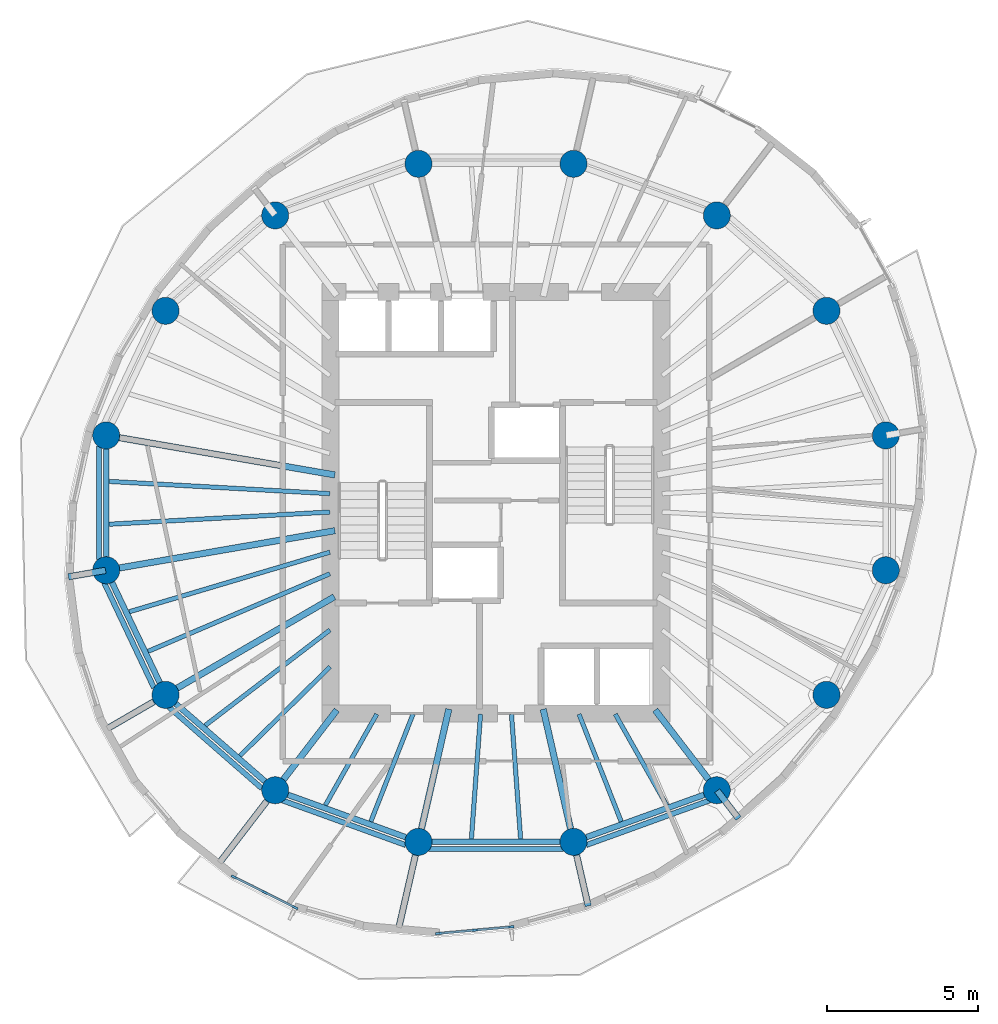
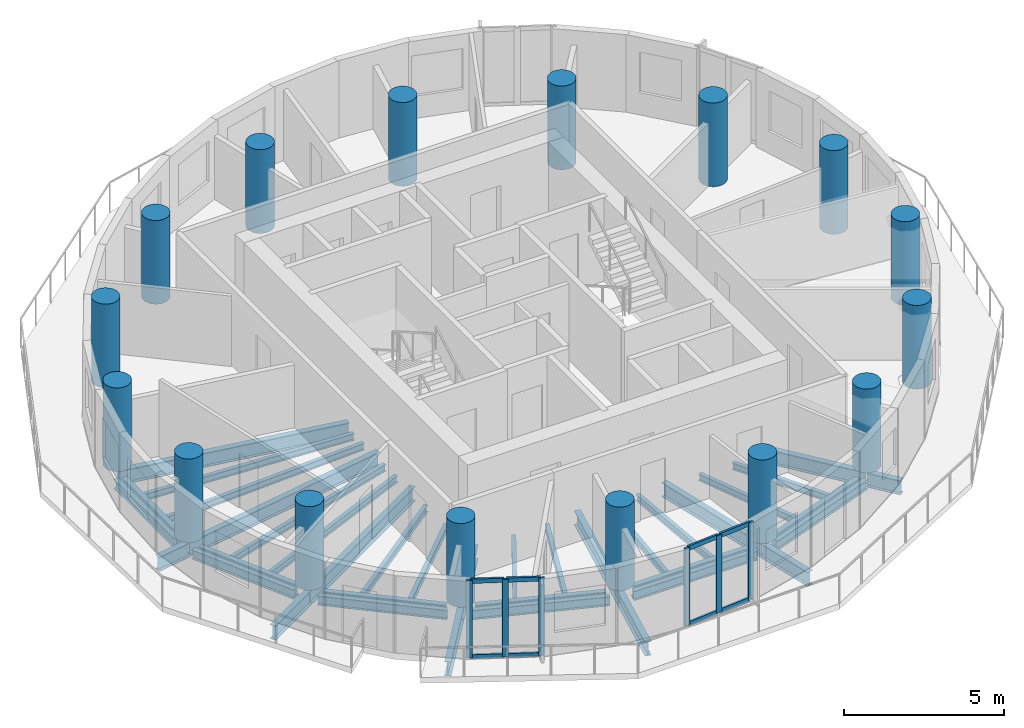
# One storey, part 1 of 10: 37 beams, 16 columns, 14 members, 2 elements without a shape of their own.
"""IFC4 building model written with IfcOpenShell, lengths in metres."""

from ifc_helpers import new_model, si_unit, direction, frame, origin, origin_2d, place, context, subcontext, project, spatial, rectangle, circle, i_section, extrude, material, material_profile, profile_set, type_object, element, aggregate, save


model = new_model("IFC4")

# Units and contexts
model_context = context("Model", 3, precision=1e-05, world=origin(), true_north=direction((0.0, 1.0)))
body_context = subcontext(model_context, "Body", "Model", "MODEL_VIEW")
ifc_project = project(units=[si_unit("LENGTHUNIT", "METRE"), si_unit("AREAUNIT", "SQUARE_METRE"), si_unit("VOLUMEUNIT", "CUBIC_METRE"), si_unit("PLANEANGLEUNIT", "RADIAN"), si_unit("MASSUNIT", "GRAM", prefix="KILO")], contexts=[model_context])

# Site, building, storey
site_placement = place(None, origin())
site = spatial("IfcSite", under=ifc_project, at=site_placement, CompositionType="ELEMENT")
building_placement = place(site_placement, origin())
building = spatial("IfcBuilding", under=site, at=building_placement, Name="Veldorim Arch Residences", CompositionType="ELEMENT")
storey_placement = place(building_placement, frame((0.0, 0.0, 191.840087890625)))
storey = spatial("IfcBuildingStorey", under=building, at=storey_placement, Name="L57", CompositionType="ELEMENT", Elevation=191.840087890625)

# Columns
ifc_material_1 = material(Name="Concrete C50/60", Category="concrete")
ifc_material_profile_1 = material_profile(ifc_material_1, circle(Radius=0.449951171875, at=origin_2d()), Name="RC_CIRC_900")
ifc_profile_set_1 = profile_set([ifc_material_profile_1], Name="Concrete C50/60")
column_type = type_object("IfcColumnType", Name="Structural Column RC_CIRC_900", PredefinedType="COLUMN", material=ifc_profile_set_1)
for number, where, z_axis, x_axis, name in (
    (1, (44.9462890625, 26.239501953125, 0.0), (0.0, 0.0, 1.0), (1.0, 0.0, 0.0), "L57 TC-Z4-01 perimeter column"),
    (2, (42.975341796875, 30.3779296875, 0.0), (0.0, 0.0, 1.0), (1.0, 0.0, 0.0), "L57 TC-Z4-02 perimeter column"),
    (3, (39.33349609375, 33.54541015625, 0.0), (0.0, 0.0, 1.0), (1.0, 0.0, 0.0), "L57 TC-Z4-03 perimeter column"),
    (4, (34.5751953125, 35.259521484375, 0.0), (0.0, 0.0, 1.0), (1.0, 0.0, 0.0), "L57 TC-Z4-04 perimeter column"),
    (5, (29.4248046875, 35.259521484375, 0.0), (0.0, 0.0, 1.0), (1.0, 0.0, 0.0), "L57 TC-Z4-05 perimeter column"),
    (6, (24.66650390625, 33.54541015625, 0.0), (0.0, 0.0, 1.0), (1.0, 0.0, 0.0), "L57 TC-Z4-06 perimeter column"),
    (7, (21.024658203125, 30.3779296875, 0.0), (0.0, 0.0, 1.0), (1.0, 0.0, 0.0), "L57 TC-Z4-07 perimeter column"),
    (8, (19.0537109375, 26.239501953125, 0.0), (0.0, 0.0, 1.0), (1.0, 0.0, 0.0), "L57 TC-Z4-08 perimeter column"),
    (9, (19.0537109375, 21.760498046875, 0.0), (0.0, 0.0, 1.0), (1.0, 0.0, 0.0), "L57 TC-Z4-09 perimeter column"),
    (10, (21.024658203125, 17.6220703125, 0.0), (0.0, 0.0, 1.0), (1.0, 0.0, 0.0), "L57 TC-Z4-10 perimeter column"),
    (11, (24.66650390625, 14.45458984375, 0.0), (0.0, 0.0, 1.0), (1.0, 0.0, 0.0), "L57 TC-Z4-11 perimeter column"),
    (12, (29.4248046875, 12.740478515625, 0.0), (0.0, 0.0, 1.0), (1.0, 0.0, 0.0), "L57 TC-Z4-12 perimeter column"),
    (13, (34.5751953125, 12.740478515625, 0.0), (0.0, 0.0, 1.0), (1.0, 0.0, 0.0), "L57 TC-Z4-13 perimeter column"),
    (14, (39.33349609375, 14.45458984375, 0.0), (0.0, 0.0, 1.0), (1.0, 0.0, 0.0), "L57 TC-Z4-14 perimeter column"),
    (15, (42.975341796875, 17.6220703125, 0.0), (0.0, 0.0, 1.0), (1.0, 0.0, 0.0), "L57 TC-Z4-15 perimeter column"),
    (16, (44.9462890625, 21.760498046875, 0.0), (0.0, 0.0, 1.0), (1.0, 0.0, 0.0), "L57 TC-Z4-16 perimeter column"),
):
    element("IfcColumn", number, at=place(storey_placement, frame(where, z_axis=z_axis, x_axis=x_axis)), inside=storey, type_object=column_type, Name=name, PredefinedType="COLUMN", context=body_context, shape_type="SweptSolid", body=[
        extrude(circle(Radius=0.449951171875, at=origin_2d()), origin(), (0.0, 0.0, 1.0), 3.199951171875),
    ])

# Beams
ifc_material_2 = material(Name="Steel S355", Category="steel")
ifc_material_profile_2 = material_profile(ifc_material_2, i_section(OverallWidth=0.2119140625, OverallDepth=0.54443359375, WebThickness=0.0126953125, FlangeThickness=0.021240234375, at=origin_2d()), Name="UB533x210x122")
ifc_profile_set_2 = profile_set([ifc_material_profile_2], Name="Steel S355")
beam_type_1 = type_object("IfcBeamType", Name="Structural Steel Beam UB533x210x122", PredefinedType="BEAM", material=ifc_profile_set_2)
for number, where, z_axis, x_axis, name in (
    (17, (26.647705078125, 24.92578125, -0.512451171875), (-0.985364974081, 0.170457818401, 0.0), (-0.170457818401, -0.985364974081, 0.0), "L57 radial floor girder 08"),
    (18, (26.647705078125, 23.07421875, -0.512451171875), (-0.985364974081, -0.170457818401, 0.0), (0.170457818401, -0.985364974081, 0.0), "L57 radial floor girder 09"),
):
    element("IfcBeam", number, at=place(storey_placement, frame(where, z_axis=z_axis, x_axis=x_axis)), inside=storey, type_object=beam_type_1, Name=name, PredefinedType="BEAM", context=body_context, shape_type="SweptSolid", body=[
        extrude(i_section(OverallWidth=0.2119140625, OverallDepth=0.54443359375, WebThickness=0.0126953125, FlangeThickness=0.021240234375, at=origin_2d()), origin(), (0.0, 0.0, 1.0), 7.68701171875),
    ])
beam_1_placement = place(storey_placement, frame((19.033935546875, 21.757080078125, -0.512451171875), z_axis=(-0.985353024945, -0.170526878328, 0.0), x_axis=(0.170526878328, -0.985353024945, 0.0)))
element("IfcBeam", 19, at=beam_1_placement, inside=storey, type_object=beam_type_1, Name="L57 radial edge cantilever girder 09", PredefinedType="BEAM", context=body_context, shape_type="SweptSolid", body=[
    extrude(i_section(OverallWidth=0.2119140625, OverallDepth=0.54443359375, WebThickness=0.0126953125, FlangeThickness=0.021240234375, at=origin_2d()), origin(), (0.0, 0.0, 1.0), 1.252685546875),
])
beam_2_placement = place(storey_placement, frame((26.629638671875, 20.87939453125, -0.512451171875), z_axis=(-0.864595736304, -0.502468121142, 0.0), x_axis=(0.502468121142, -0.864595736304, 0.0)))
element("IfcBeam", 20, at=beam_2_placement, inside=storey, type_object=beam_type_1, Name="L57 radial floor girder 10", PredefinedType="BEAM", context=body_context, shape_type="SweptSolid", body=[
    extrude(i_section(OverallWidth=0.2119140625, OverallDepth=0.54443359375, WebThickness=0.0126953125, FlangeThickness=0.021240234375, at=origin_2d()), origin(), (0.0, 0.0, 1.0), 6.462646484375),
])
beam_3_placement = place(storey_placement, frame((21.00732421875, 17.612060546875, -0.512451171875), z_axis=(-0.864602055373, -0.502457247779, 0.0), x_axis=(0.502457247779, -0.864602055373, 0.0)))
element("IfcBeam", 21, at=beam_3_placement, inside=storey, type_object=beam_type_1, Name="L57 radial edge cantilever girder 10", PredefinedType="BEAM", context=body_context, shape_type="SweptSolid", body=[
    extrude(i_section(OverallWidth=0.2119140625, OverallDepth=0.54443359375, WebThickness=0.0126953125, FlangeThickness=0.021240234375, at=origin_2d()), origin(), (0.0, 0.0, 1.0), 2.2880859375),
])
beam_4_placement = place(storey_placement, frame((26.71337890625, 17.118896484375, -0.512451171875), z_axis=(-0.609258442308, -0.792971721108, 0.0), x_axis=(0.792971721108, -0.609258442308, 0.0)))
element("IfcBeam", 22, at=beam_4_placement, inside=storey, type_object=beam_type_1, Name="L57 radial floor girder 11", PredefinedType="BEAM", context=body_context, shape_type="SweptSolid", body=[
    extrude(i_section(OverallWidth=0.2119140625, OverallDepth=0.54443359375, WebThickness=0.0126953125, FlangeThickness=0.021240234375, at=origin_2d()), origin(), (0.0, 0.0, 1.0), 3.339599609375),
])
beam_5_placement = place(storey_placement, frame((24.654296875, 14.438720703125, -0.512451171875), z_axis=(-0.609236633361, -0.792988476947, 0.0), x_axis=(0.792988476947, -0.609236633361, 0.0)))
element("IfcBeam", 23, at=beam_5_placement, inside=storey, type_object=beam_type_1, Name="L57 radial edge cantilever girder 11", PredefinedType="BEAM", context=body_context, shape_type="SweptSolid", body=[
    extrude(i_section(OverallWidth=0.2119140625, OverallDepth=0.54443359375, WebThickness=0.0126953125, FlangeThickness=0.021240234375, at=origin_2d()), origin(), (0.0, 0.0, 1.0), 3.08642578125),
])
beam_6_placement = place(storey_placement, frame((30.432373046875, 17.146240234375, -0.512451171875), z_axis=(-0.222952976993, -0.97482920045, 0.0), x_axis=(0.97482920045, -0.222952976993, 0.0)))
element("IfcBeam", 24, at=beam_6_placement, inside=storey, type_object=beam_type_1, Name="L57 radial floor girder 12", PredefinedType="BEAM", context=body_context, shape_type="SweptSolid", body=[
    extrude(i_section(OverallWidth=0.2119140625, OverallDepth=0.54443359375, WebThickness=0.0126953125, FlangeThickness=0.021240234375, at=origin_2d()), origin(), (0.0, 0.0, 1.0), 4.49951171875),
])
beam_7_placement = place(storey_placement, frame((29.42041015625, 12.72119140625, -0.512451171875), z_axis=(-0.222962695029, -0.974826977789, 0.0), x_axis=(0.974826977789, -0.222962695029, 0.0)))
element("IfcBeam", 25, at=beam_7_placement, inside=storey, type_object=beam_type_1, Name="L57 radial edge cantilever girder 12", PredefinedType="BEAM", context=body_context, shape_type="SweptSolid", body=[
    extrude(i_section(OverallWidth=0.2119140625, OverallDepth=0.54443359375, WebThickness=0.0126953125, FlangeThickness=0.021240234375, at=origin_2d()), origin(), (0.0, 0.0, 1.0), 2.98046875),
])
beam_8_placement = place(storey_placement, frame((33.567626953125, 17.146240234375, -0.512451171875), z_axis=(0.222952976993, -0.97482920045, 0.0), x_axis=(0.97482920045, 0.222952976993, 0.0)))
element("IfcBeam", 26, at=beam_8_placement, inside=storey, type_object=beam_type_1, Name="L57 radial floor girder 13", PredefinedType="BEAM", context=body_context, shape_type="SweptSolid", body=[
    extrude(i_section(OverallWidth=0.2119140625, OverallDepth=0.54443359375, WebThickness=0.0126953125, FlangeThickness=0.021240234375, at=origin_2d()), origin(), (0.0, 0.0, 1.0), 4.49951171875),
])
beam_9_placement = place(storey_placement, frame((34.57958984375, 12.72119140625, -0.512451171875), z_axis=(0.222947343298, -0.974830488914, 0.0), x_axis=(0.974830488914, 0.222947343298, 0.0)))
element("IfcBeam", 27, at=beam_9_placement, inside=storey, type_object=beam_type_1, Name="L57 radial edge cantilever girder 13", PredefinedType="BEAM", context=body_context, shape_type="SweptSolid", body=[
    extrude(i_section(OverallWidth=0.2119140625, OverallDepth=0.54443359375, WebThickness=0.0126953125, FlangeThickness=0.021240234375, at=origin_2d()), origin(), (0.0, 0.0, 1.0), 2.163818359375),
])
beam_10_placement = place(storey_placement, frame((37.28662109375, 17.118896484375, -0.512451171875), z_axis=(0.609258442308, -0.792971721108, 0.0), x_axis=(0.792971721108, 0.609258442308, 0.0)))
element("IfcBeam", 28, at=beam_10_placement, inside=storey, type_object=beam_type_1, Name="L57 radial floor girder 14", PredefinedType="BEAM", context=body_context, shape_type="SweptSolid", body=[
    extrude(i_section(OverallWidth=0.2119140625, OverallDepth=0.54443359375, WebThickness=0.0126953125, FlangeThickness=0.021240234375, at=origin_2d()), origin(), (0.0, 0.0, 1.0), 3.339599609375),
])
beam_11_placement = place(storey_placement, frame((39.345703125, 14.438720703125, -0.512451171875), z_axis=(0.609203031705, -0.793014291272, 0.0), x_axis=(0.793014291272, 0.609203031705, 0.0)))
element("IfcBeam", 29, at=beam_11_placement, inside=storey, type_object=beam_type_1, Name="L57 radial edge cantilever girder 14", PredefinedType="BEAM", context=body_context, shape_type="SweptSolid", body=[
    extrude(i_section(OverallWidth=0.2119140625, OverallDepth=0.54443359375, WebThickness=0.0126953125, FlangeThickness=0.021240234375, at=origin_2d()), origin(), (0.0, 0.0, 1.0), 1.162109375),
])
ifc_material_3 = material(Name="Steel S355", Category="steel")
ifc_material_profile_3 = material_profile(ifc_material_3, i_section(OverallWidth=0.146484375, OverallDepth=0.256103515625, WebThickness=0.00634765625, FlangeThickness=0.010986328125, at=origin_2d()), Name="UB254x146x37")
ifc_profile_set_3 = profile_set([ifc_material_profile_3], Name="Steel S355")
beam_type_2 = type_object("IfcBeamType", Name="Structural Steel Joist UB254x146x37", PredefinedType="JOIST", material=ifc_profile_set_3)
for number, where, z_axis, x_axis, name in (
    (30, (26.47998046875, 24.3056640625, -0.3681640625), (-0.998472000884, 0.055259962464, 0.0), (-0.055259962464, -0.998472000884, 0.0), "L57 secondary radial floor joist 08-1"),
    (31, (26.47998046875, 23.6943359375, -0.3681640625), (-0.998472000884, -0.055259962464, 0.0), (0.055259962464, -0.998472000884, 0.0), "L57 secondary radial floor joist 08-2"),
):
    element("IfcBeam", number, at=place(storey_placement, frame(where, z_axis=z_axis, x_axis=x_axis)), inside=storey, type_object=beam_type_2, Name=name, PredefinedType="JOIST", context=body_context, shape_type="SweptSolid", body=[
        extrude(i_section(OverallWidth=0.146484375, OverallDepth=0.256103515625, WebThickness=0.00634765625, FlangeThickness=0.010986328125, at=origin_2d()), origin(), (0.0, 0.0, 1.0), 7.33837890625),
    ])
beam_12_placement = place(storey_placement, frame((26.480712890625, 22.360595703125, -0.3681640625), z_axis=(-0.958594432792, -0.284774846889, 0.0), x_axis=(0.284774846889, -0.958594432792, 0.0)))
element("IfcBeam", 32, at=beam_12_placement, inside=storey, type_object=beam_type_2, Name="L57 secondary radial floor joist 09-1", PredefinedType="JOIST", context=body_context, shape_type="SweptSolid", body=[
    extrude(i_section(OverallWidth=0.146484375, OverallDepth=0.256103515625, WebThickness=0.00634765625, FlangeThickness=0.010986328125, at=origin_2d()), origin(), (0.0, 0.0, 1.0), 6.949462890625),
])
beam_13_placement = place(storey_placement, frame((26.481689453125, 21.644287109375, -0.3681640625), z_axis=(-0.919725161652, -0.392562895629, 0.0), x_axis=(0.392562895629, -0.919725161652, 0.0)))
element("IfcBeam", 33, at=beam_13_placement, inside=storey, type_object=beam_type_2, Name="L57 secondary radial floor joist 09-2", PredefinedType="JOIST", context=body_context, shape_type="SweptSolid", body=[
    extrude(i_section(OverallWidth=0.146484375, OverallDepth=0.256103515625, WebThickness=0.00634765625, FlangeThickness=0.010986328125, at=origin_2d()), origin(), (0.0, 0.0, 1.0), 6.5625),
])
beam_14_placement = place(storey_placement, frame((26.484130859375, 19.777099609375, -0.3681640625), z_axis=(-0.794013672216, -0.607899899929, 0.0), x_axis=(0.607899899929, -0.794013672216, 0.0)))
element("IfcBeam", 34, at=beam_14_placement, inside=storey, type_object=beam_type_2, Name="L57 secondary radial floor joist 10-1", PredefinedType="JOIST", context=body_context, shape_type="SweptSolid", body=[
    extrude(i_section(OverallWidth=0.146484375, OverallDepth=0.256103515625, WebThickness=0.00634765625, FlangeThickness=0.010986328125, at=origin_2d()), origin(), (0.0, 0.0, 1.0), 5.217041015625),
])
beam_15_placement = place(storey_placement, frame((26.48583984375, 18.55224609375, -0.3681640625), z_axis=(-0.711396725432, -0.702790650937, 0.0), x_axis=(0.702790650937, -0.711396725432, 0.0)))
element("IfcBeam", 35, at=beam_15_placement, inside=storey, type_object=beam_type_2, Name="L57 secondary radial floor joist 10-2", PredefinedType="JOIST", context=body_context, shape_type="SweptSolid", body=[
    extrude(i_section(OverallWidth=0.146484375, OverallDepth=0.256103515625, WebThickness=0.00634765625, FlangeThickness=0.010986328125, at=origin_2d()), origin(), (0.0, 0.0, 1.0), 4.198486328125),
])
beam_16_placement = place(storey_placement, frame((28.039794921875, 16.982666015625, -0.3681640625), z_axis=(-0.491452469585, -0.870904397818, 0.0), x_axis=(0.870904397818, -0.491452469585, 0.0)))
element("IfcBeam", 36, at=beam_16_placement, inside=storey, type_object=beam_type_2, Name="L57 secondary radial floor joist 11-1", PredefinedType="JOIST", context=body_context, shape_type="SweptSolid", body=[
    extrude(i_section(OverallWidth=0.146484375, OverallDepth=0.256103515625, WebThickness=0.00634765625, FlangeThickness=0.010986328125, at=origin_2d()), origin(), (0.0, 0.0, 1.0), 3.472412109375),
])
beam_17_placement = place(storey_placement, frame((29.24365234375, 16.9814453125, -0.3681640625), z_axis=(-0.365581383042, -0.930779379001, 0.0), x_axis=(0.930779379001, -0.365581383042, 0.0)))
element("IfcBeam", 37, at=beam_17_placement, inside=storey, type_object=beam_type_2, Name="L57 secondary radial floor joist 11-2", PredefinedType="JOIST", context=body_context, shape_type="SweptSolid", body=[
    extrude(i_section(OverallWidth=0.146484375, OverallDepth=0.256103515625, WebThickness=0.00634765625, FlangeThickness=0.010986328125, at=origin_2d()), origin(), (0.0, 0.0, 1.0), 3.83056640625),
])
for number, where, z_axis, x_axis, name in (
    (38, (31.486083984375, 16.97998046875, -0.3681640625), (-0.072985625899, -0.997332992742, 0.0), (0.997332992742, -0.072985625899, 0.0), "L57 secondary radial floor joist 12-1"),
    (39, (32.513916015625, 16.97998046875, -0.3681640625), (0.072985625899, -0.997332992742, 0.0), (0.997332992742, 0.072985625899, 0.0), "L57 secondary radial floor joist 12-2"),
):
    element("IfcBeam", number, at=place(storey_placement, frame(where, z_axis=z_axis, x_axis=x_axis)), inside=storey, type_object=beam_type_2, Name=name, PredefinedType="JOIST", context=body_context, shape_type="SweptSolid", body=[
        extrude(i_section(OverallWidth=0.146484375, OverallDepth=0.256103515625, WebThickness=0.00634765625, FlangeThickness=0.010986328125, at=origin_2d()), origin(), (0.0, 0.0, 1.0), 4.151123046875),
    ])
beam_18_placement = place(storey_placement, frame((34.75634765625, 16.9814453125, -0.3681640625), z_axis=(0.365581383042, -0.930779379001, 0.0), x_axis=(0.930779379001, 0.365581383042, 0.0)))
element("IfcBeam", 40, at=beam_18_placement, inside=storey, type_object=beam_type_2, Name="L57 secondary radial floor joist 13-1", PredefinedType="JOIST", context=body_context, shape_type="SweptSolid", body=[
    extrude(i_section(OverallWidth=0.146484375, OverallDepth=0.256103515625, WebThickness=0.00634765625, FlangeThickness=0.010986328125, at=origin_2d()), origin(), (0.0, 0.0, 1.0), 3.83056640625),
])
beam_19_placement = place(storey_placement, frame((35.960205078125, 16.982666015625, -0.3681640625), z_axis=(0.491452469585, -0.870904397818, 0.0), x_axis=(0.870904397818, 0.491452469585, 0.0)))
element("IfcBeam", 41, at=beam_19_placement, inside=storey, type_object=beam_type_2, Name="L57 secondary radial floor joist 13-2", PredefinedType="JOIST", context=body_context, shape_type="SweptSolid", body=[
    extrude(i_section(OverallWidth=0.146484375, OverallDepth=0.256103515625, WebThickness=0.00634765625, FlangeThickness=0.010986328125, at=origin_2d()), origin(), (0.0, 0.0, 1.0), 3.472412109375),
])
ifc_material_4 = material(Name="Steel S355", Category="steel")
ifc_material_profile_4 = material_profile(ifc_material_4, i_section(OverallWidth=0.172119140625, OverallDepth=0.35791015625, WebThickness=0.008056640625, FlangeThickness=0.012939453125, at=origin_2d()), Name="UB356x171x57")
ifc_profile_set_4 = profile_set([ifc_material_profile_4], Name="Steel S355")
beam_type_3 = type_object("IfcBeamType", Name="Structural Steel Spandrel UB356x171x57", PredefinedType="SPANDREL", material=ifc_profile_set_4)
beam_20_placement = place(storey_placement, frame((18.809814453125, 25.8857421875, -0.439208984375), z_axis=(0.0, -1.0, 0.0), x_axis=(1.0, 0.0, 0.0)))
element("IfcBeam", 42, at=beam_20_placement, inside=storey, type_object=beam_type_3, Name="L57 perimeter chord spandrel beam 08", PredefinedType="SPANDREL", context=body_context, shape_type="SweptSolid", body=[
    extrude(i_section(OverallWidth=0.172119140625, OverallDepth=0.35791015625, WebThickness=0.008056640625, FlangeThickness=0.012939453125, at=origin_2d()), origin(), (0.0, 0.0, 1.0), 3.771484375),
])
beam_21_placement = place(storey_placement, frame((18.9794921875, 21.3603515625, -0.439208984375), z_axis=(0.428408308939, -0.903585259304, 0.0), x_axis=(0.903585259304, 0.428408308939, 0.0)))
element("IfcBeam", 43, at=beam_21_placement, inside=storey, type_object=beam_type_3, Name="L57 perimeter chord spandrel beam 09", PredefinedType="SPANDREL", context=body_context, shape_type="SweptSolid", body=[
    extrude(i_section(OverallWidth=0.172119140625, OverallDepth=0.35791015625, WebThickness=0.008056640625, FlangeThickness=0.012939453125, at=origin_2d()), origin(), (0.0, 0.0, 1.0), 3.878662109375),
])
beam_22_placement = place(storey_placement, frame((21.108642578125, 17.237060546875, -0.439208984375), z_axis=(0.752847646119, -0.6581948205, 0.0), x_axis=(0.6581948205, 0.752847646119, 0.0)))
element("IfcBeam", 44, at=beam_22_placement, inside=storey, type_object=beam_type_3, Name="L57 perimeter chord spandrel beam 10", PredefinedType="SPANDREL", context=body_context, shape_type="SweptSolid", body=[
    extrude(i_section(OverallWidth=0.172119140625, OverallDepth=0.35791015625, WebThickness=0.008056640625, FlangeThickness=0.012939453125, at=origin_2d()), origin(), (0.0, 0.0, 1.0), 4.12939453125),
])
beam_23_placement = place(storey_placement, frame((24.887939453125, 14.12353515625, -0.439208984375), z_axis=(0.940164695555, -0.340720332871, 0.0), x_axis=(0.340720332871, 0.940164695555, 0.0)))
element("IfcBeam", 45, at=beam_23_placement, inside=storey, type_object=beam_type_3, Name="L57 perimeter chord spandrel beam 11", PredefinedType="SPANDREL", context=body_context, shape_type="SweptSolid", body=[
    extrude(i_section(OverallWidth=0.172119140625, OverallDepth=0.35791015625, WebThickness=0.008056640625, FlangeThickness=0.012939453125, at=origin_2d()), origin(), (0.0, 0.0, 1.0), 4.370849609375),
])
beam_24_placement = place(storey_placement, frame((29.765625, 12.499267578125, -0.439208984375), z_axis=(1.0, 0.0, 0.0), x_axis=(0.0, 1.0, 0.0)))
element("IfcBeam", 46, at=beam_24_placement, inside=storey, type_object=beam_type_3, Name="L57 perimeter chord spandrel beam 12", PredefinedType="SPANDREL", context=body_context, shape_type="SweptSolid", body=[
    extrude(i_section(OverallWidth=0.172119140625, OverallDepth=0.35791015625, WebThickness=0.008056640625, FlangeThickness=0.012939453125, at=origin_2d()), origin(), (0.0, 0.0, 1.0), 4.46875),
])
beam_25_placement = place(storey_placement, frame((35.002685546875, 12.63427734375, -0.439208984375), z_axis=(0.940164695555, 0.340720332871, 0.0), x_axis=(-0.340720332871, 0.940164695555, 0.0)))
element("IfcBeam", 47, at=beam_25_placement, inside=storey, type_object=beam_type_3, Name="L57 perimeter chord spandrel beam 13", PredefinedType="SPANDREL", context=body_context, shape_type="SweptSolid", body=[
    extrude(i_section(OverallWidth=0.172119140625, OverallDepth=0.35791015625, WebThickness=0.008056640625, FlangeThickness=0.012939453125, at=origin_2d()), origin(), (0.0, 0.0, 1.0), 4.370849609375),
])
ifc_material_5 = material(Name="Steel S355", Category="steel")
ifc_material_profile_5 = material_profile(ifc_material_5, i_section(OverallWidth=0.19140625, OverallDepth=0.4599609375, WebThickness=0.010009765625, FlangeThickness=0.01611328125, at=origin_2d()), Name="UB457x191x82")
ifc_profile_set_5 = profile_set([ifc_material_profile_5], Name="Steel S355")
beam_type_4 = type_object("IfcBeamType", Name="Structural Steel Spandrel UB457x191x82", PredefinedType="SPANDREL", material=ifc_profile_set_5)
beam_26_placement = place(storey_placement, frame((19.0537109375, 25.78955078125, -0.469970703125), z_axis=(0.0, -1.0, 0.0), x_axis=(1.0, 0.0, 0.0)))
element("IfcBeam", 48, at=beam_26_placement, inside=storey, type_object=beam_type_4, Name="L57 perimeter ring tie beam 08", PredefinedType="SPANDREL", context=body_context, shape_type="SweptSolid", body=[
    extrude(i_section(OverallWidth=0.19140625, OverallDepth=0.4599609375, WebThickness=0.010009765625, FlangeThickness=0.01611328125, at=origin_2d()), origin(), (0.0, 0.0, 1.0), 3.5791015625),
])
beam_27_placement = place(storey_placement, frame((19.2470703125, 21.35400390625, -0.469970703125), z_axis=(0.430005613988, -0.902826213586, 0.0), x_axis=(0.902826213586, 0.430005613988, 0.0)))
element("IfcBeam", 49, at=beam_27_placement, inside=storey, type_object=beam_type_4, Name="L57 perimeter ring tie beam 09", PredefinedType="SPANDREL", context=body_context, shape_type="SweptSolid", body=[
    extrude(i_section(OverallWidth=0.19140625, OverallDepth=0.4599609375, WebThickness=0.010009765625, FlangeThickness=0.01611328125, at=origin_2d()), origin(), (0.0, 0.0, 1.0), 3.68359375),
])
beam_28_placement = place(storey_placement, frame((21.364013671875, 17.326904296875, -0.469970703125), z_axis=(0.754545285701, -0.656247980436, 0.0), x_axis=(0.656247980436, 0.754545285701, 0.0)))
element("IfcBeam", 50, at=beam_28_placement, inside=storey, type_object=beam_type_4, Name="L57 perimeter ring tie beam 10", PredefinedType="SPANDREL", context=body_context, shape_type="SweptSolid", body=[
    extrude(i_section(OverallWidth=0.19140625, OverallDepth=0.4599609375, WebThickness=0.010009765625, FlangeThickness=0.01611328125, at=origin_2d()), origin(), (0.0, 0.0, 1.0), 3.9267578125),
])
beam_29_placement = place(storey_placement, frame((25.08984375, 14.30224609375, -0.469970703125), z_axis=(0.940811035395, -0.338931550137, 0.0), x_axis=(0.338931550137, 0.940811035395, 0.0)))
element("IfcBeam", 51, at=beam_29_placement, inside=storey, type_object=beam_type_4, Name="L57 perimeter ring tie beam 11", PredefinedType="SPANDREL", context=body_context, shape_type="SweptSolid", body=[
    extrude(i_section(OverallWidth=0.19140625, OverallDepth=0.4599609375, WebThickness=0.010009765625, FlangeThickness=0.01611328125, at=origin_2d()), origin(), (0.0, 0.0, 1.0), 4.15771484375),
])
beam_30_placement = place(storey_placement, frame((29.874755859375, 12.740478515625, -0.469970703125), z_axis=(1.0, 0.0, 0.0), x_axis=(0.0, 1.0, 0.0)))
element("IfcBeam", 52, at=beam_30_placement, inside=storey, type_object=beam_type_4, Name="L57 perimeter ring tie beam 12", PredefinedType="SPANDREL", context=body_context, shape_type="SweptSolid", body=[
    extrude(i_section(OverallWidth=0.19140625, OverallDepth=0.4599609375, WebThickness=0.010009765625, FlangeThickness=0.01611328125, at=origin_2d()), origin(), (0.0, 0.0, 1.0), 4.25048828125),
])
beam_31_placement = place(storey_placement, frame((34.99853515625, 12.89306640625, -0.469970703125), z_axis=(0.940811035395, 0.338931550137, 0.0), x_axis=(-0.338931550137, 0.940811035395, 0.0)))
element("IfcBeam", 53, at=beam_31_placement, inside=storey, type_object=beam_type_4, Name="L57 perimeter ring tie beam 13", PredefinedType="SPANDREL", context=body_context, shape_type="SweptSolid", body=[
    extrude(i_section(OverallWidth=0.19140625, OverallDepth=0.4599609375, WebThickness=0.010009765625, FlangeThickness=0.01611328125, at=origin_2d()), origin(), (0.0, 0.0, 1.0), 4.15771484375),
])

# Curtain wall, members
ifc_material_6 = material(Name="Aluminium", Category="aluminium")
curtain_wall_type = type_object("IfcCurtainWallType", Name="Zone 4 High-Altitude Unitised Curtain Wall", PredefinedType="NOTDEFINED", material=ifc_material_6)
curtain_wall_1_placement = place(storey_placement, origin())
curtain_wall_1 = element("IfcCurtainWall", 54, at=curtain_wall_1_placement, inside=storey, type_object=curtain_wall_type, Name="L57 unitised curtain wall bay 20", PredefinedType="NOTDEFINED")
ifc_material_7 = material(Name="Aluminium", Category="aluminium")
ifc_material_profile_6 = material_profile(ifc_material_7, rectangle(XDim=0.074951171875, YDim=0.195068359375, at=origin_2d()), Name="ALU_MUL_75x195")
ifc_profile_set_6 = profile_set([ifc_material_profile_6], Name="Aluminium")
member_type_1 = type_object("IfcMemberType", Name="Zone 4 High-Altitude Unitised Curtain Wall Mullion 75x195", PredefinedType="MULLION", material=ifc_profile_set_6)
member_1_placement = place(storey_placement, frame((25.330810546875, 10.553466796875, 0.0), z_axis=(0.0, 0.0, 1.0), x_axis=(-0.448866145175, -0.893599006107, 0.0)))
member_1 = element("IfcMember", 55, at=member_1_placement, type_object=member_type_1, Name="CW-Z4 mullion 1", PredefinedType="MULLION", context=body_context, shape_type="SweptSolid", body=[
    extrude(rectangle(XDim=0.074951171875, YDim=0.195068359375, at=origin_2d()), origin(), (0.0, 0.0, 1.0), 2.9599609375),
])
member_2_placement = place(storey_placement, frame((24.31591796875, 11.0634765625, 0.0), z_axis=(0.0, 0.0, 1.0), x_axis=(-0.448866145175, -0.893599006107, 0.0)))
member_2 = element("IfcMember", 56, at=member_2_placement, type_object=member_type_1, Name="CW-Z4 mullion 2", PredefinedType="MULLION", context=body_context, shape_type="SweptSolid", body=[
    extrude(rectangle(XDim=0.074951171875, YDim=0.195068359375, at=origin_2d()), origin(), (0.0, 0.0, 1.0), 2.9599609375),
])
member_3_placement = place(storey_placement, frame((23.30078125, 11.5732421875, 0.0), z_axis=(0.0, 0.0, 1.0), x_axis=(-0.448866145175, -0.893599006107, 0.0)))
member_3 = element("IfcMember", 57, at=member_3_placement, type_object=member_type_1, Name="CW-Z4 mullion 3", PredefinedType="MULLION", context=body_context, shape_type="SweptSolid", body=[
    extrude(rectangle(XDim=0.074951171875, YDim=0.195068359375, at=origin_2d()), origin(), (0.0, 0.0, 1.0), 2.9599609375),
])

curtain_wall_2_placement = place(storey_placement, origin())
curtain_wall_2 = element("IfcCurtainWall", 58, at=curtain_wall_2_placement, inside=storey, type_object=curtain_wall_type, Name="L57 unitised curtain wall bay 23", PredefinedType="NOTDEFINED")
member_4_placement = place(storey_placement, frame((32.503173828125, 9.916259765625, 0.0), z_axis=(0.0, 0.0, 1.0), x_axis=(0.090521332333, -0.9958945167, 0.0)))
member_4 = element("IfcMember", 59, at=member_4_placement, type_object=member_type_1, Name="CW-Z4 mullion 1", PredefinedType="MULLION", context=body_context, shape_type="SweptSolid", body=[
    extrude(rectangle(XDim=0.074951171875, YDim=0.195068359375, at=origin_2d()), origin(), (0.0, 0.0, 1.0), 2.9599609375),
])
member_5_placement = place(storey_placement, frame((31.294677734375, 9.806396484375, 0.0), z_axis=(0.0, 0.0, 1.0), x_axis=(0.090521332333, -0.9958945167, 0.0)))
member_5 = element("IfcMember", 60, at=member_5_placement, type_object=member_type_1, Name="CW-Z4 mullion 2", PredefinedType="MULLION", context=body_context, shape_type="SweptSolid", body=[
    extrude(rectangle(XDim=0.074951171875, YDim=0.195068359375, at=origin_2d()), origin(), (0.0, 0.0, 1.0), 2.9599609375),
])
member_6_placement = place(storey_placement, frame((30.0859375, 9.696533203125, 0.0), z_axis=(0.0, 0.0, 1.0), x_axis=(0.090521332333, -0.9958945167, 0.0)))
member_6 = element("IfcMember", 61, at=member_6_placement, type_object=member_type_1, Name="CW-Z4 mullion 3", PredefinedType="MULLION", context=body_context, shape_type="SweptSolid", body=[
    extrude(rectangle(XDim=0.074951171875, YDim=0.195068359375, at=origin_2d()), origin(), (0.0, 0.0, 1.0), 2.9599609375),
])

# Member
ifc_material_8 = material(Name="Aluminium", Category="aluminium")
ifc_material_profile_7 = material_profile(ifc_material_8, rectangle(XDim=0.074951171875, YDim=0.1650390625, at=origin_2d()), Name="ALU_TRN_75x165")
ifc_profile_set_7 = profile_set([ifc_material_profile_7], Name="Aluminium")
member_type_2 = type_object("IfcMemberType", Name="Zone 4 High-Altitude Unitised Curtain Wall Transom 75x165", PredefinedType="USERDEFINED", material=ifc_profile_set_7)
member_7_placement = place(storey_placement, frame((25.29736328125, 10.5703125, 0.037353515625), z_axis=(-0.89355102998, 0.448961642929, 0.0), x_axis=(-0.448961642929, -0.89355102998, 0.0)))
member_7 = element("IfcMember", 62, at=member_7_placement, type_object=member_type_2, Name="CW-Z4 transom 1.1", ObjectType="TRANSOM", PredefinedType="USERDEFINED", context=body_context, shape_type="SweptSolid", body=[
    extrude(rectangle(XDim=0.074951171875, YDim=0.1650390625, at=origin_2d()), origin(), (0.0, 0.0, 1.0), 1.06103515625),
])

member_8_placement = place(storey_placement, frame((25.29736328125, 10.5703125, 2.92236328125), z_axis=(-0.89355102998, 0.448961642929, 0.0), x_axis=(-0.448961642929, -0.89355102998, 0.0)))
member_8 = element("IfcMember", 63, at=member_8_placement, type_object=member_type_2, Name="CW-Z4 transom 1.2", ObjectType="TRANSOM", PredefinedType="USERDEFINED", context=body_context, shape_type="SweptSolid", body=[
    extrude(rectangle(XDim=0.074951171875, YDim=0.1650390625, at=origin_2d()), origin(), (0.0, 0.0, 1.0), 1.06103515625),
])

member_9_placement = place(storey_placement, frame((24.2822265625, 11.080322265625, 0.037353515625), z_axis=(-0.893643337386, 0.448777879965, 0.0), x_axis=(-0.448777879965, -0.893643337386, 0.0)))
member_9 = element("IfcMember", 64, at=member_9_placement, type_object=member_type_2, Name="CW-Z4 transom 2.1", ObjectType="TRANSOM", PredefinedType="USERDEFINED", context=body_context, shape_type="SweptSolid", body=[
    extrude(rectangle(XDim=0.074951171875, YDim=0.1650390625, at=origin_2d()), origin(), (0.0, 0.0, 1.0), 1.060791015625),
])

member_10_placement = place(storey_placement, frame((24.2822265625, 11.080322265625, 2.92236328125), z_axis=(-0.893643337386, 0.448777879965, 0.0), x_axis=(-0.448777879965, -0.893643337386, 0.0)))
member_10 = element("IfcMember", 65, at=member_10_placement, type_object=member_type_2, Name="CW-Z4 transom 2.2", ObjectType="TRANSOM", PredefinedType="USERDEFINED", context=body_context, shape_type="SweptSolid", body=[
    extrude(rectangle(XDim=0.074951171875, YDim=0.1650390625, at=origin_2d()), origin(), (0.0, 0.0, 1.0), 1.060791015625),
])

aggregate(curtain_wall_1, [member_1, member_2, member_3, member_7, member_8, member_9, member_10])

member_11_placement = place(storey_placement, frame((32.4658203125, 9.912841796875, 0.037353515625), z_axis=(-0.995896721259, -0.090497075015, 0.0), x_axis=(0.090497075015, -0.995896721259, 0.0)))
member_11 = element("IfcMember", 66, at=member_11_placement, type_object=member_type_2, Name="CW-Z4 transom 1.1", ObjectType="TRANSOM", PredefinedType="USERDEFINED", context=body_context, shape_type="SweptSolid", body=[
    extrude(rectangle(XDim=0.074951171875, YDim=0.1650390625, at=origin_2d()), origin(), (0.0, 0.0, 1.0), 1.138427734375),
])

member_12_placement = place(storey_placement, frame((32.4658203125, 9.912841796875, 2.92236328125), z_axis=(-0.995896721259, -0.090497075015, 0.0), x_axis=(0.090497075015, -0.995896721259, 0.0)))
member_12 = element("IfcMember", 67, at=member_12_placement, type_object=member_type_2, Name="CW-Z4 transom 1.2", ObjectType="TRANSOM", PredefinedType="USERDEFINED", context=body_context, shape_type="SweptSolid", body=[
    extrude(rectangle(XDim=0.074951171875, YDim=0.1650390625, at=origin_2d()), origin(), (0.0, 0.0, 1.0), 1.138427734375),
])

member_13_placement = place(storey_placement, frame((31.25732421875, 9.802978515625, 0.037353515625), z_axis=(-0.995898476966, -0.090477751836, 0.0), x_axis=(0.090477751836, -0.995898476966, 0.0)))
member_13 = element("IfcMember", 68, at=member_13_placement, type_object=member_type_2, Name="CW-Z4 transom 2.1", ObjectType="TRANSOM", PredefinedType="USERDEFINED", context=body_context, shape_type="SweptSolid", body=[
    extrude(rectangle(XDim=0.074951171875, YDim=0.1650390625, at=origin_2d()), origin(), (0.0, 0.0, 1.0), 1.138671875),
])

member_14_placement = place(storey_placement, frame((31.25732421875, 9.802978515625, 2.92236328125), z_axis=(-0.995898476966, -0.090477751836, 0.0), x_axis=(0.090477751836, -0.995898476966, 0.0)))
member_14 = element("IfcMember", 69, at=member_14_placement, type_object=member_type_2, Name="CW-Z4 transom 2.2", ObjectType="TRANSOM", PredefinedType="USERDEFINED", context=body_context, shape_type="SweptSolid", body=[
    extrude(rectangle(XDim=0.074951171875, YDim=0.1650390625, at=origin_2d()), origin(), (0.0, 0.0, 1.0), 1.138671875),
])

aggregate(curtain_wall_2, [member_4, member_5, member_6, member_11, member_12, member_13, member_14])

save(model, "model.ifc")
